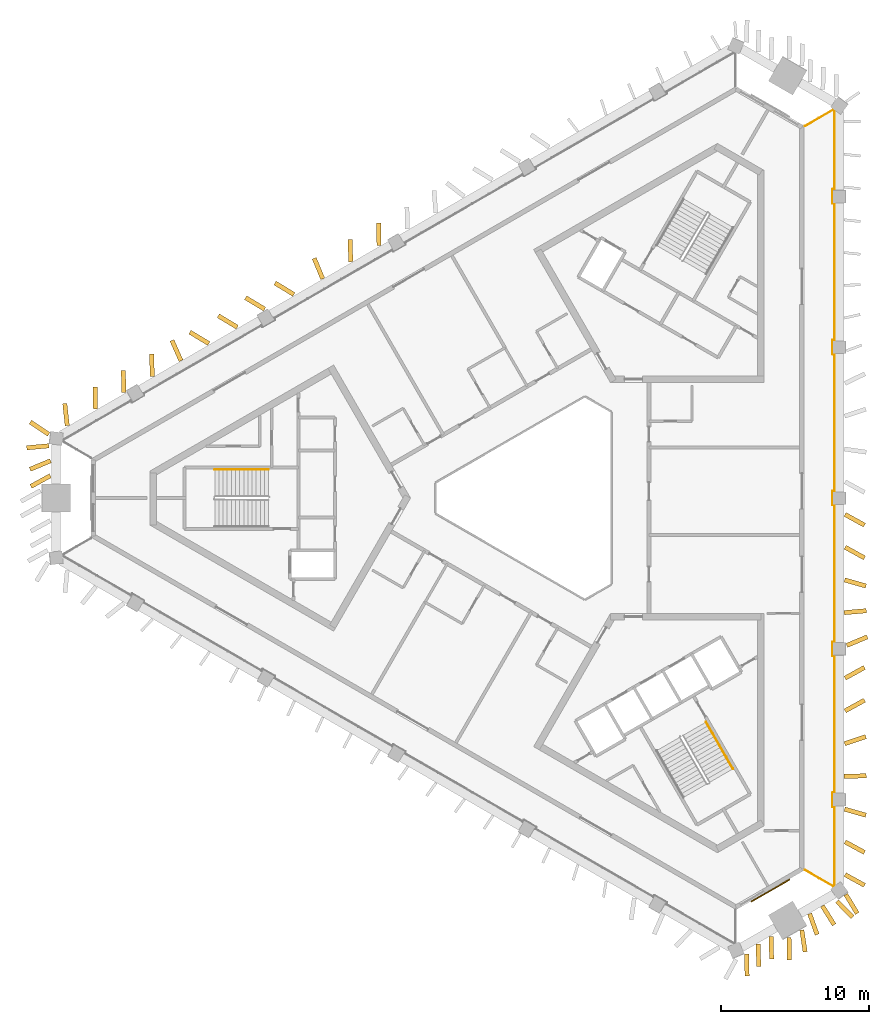
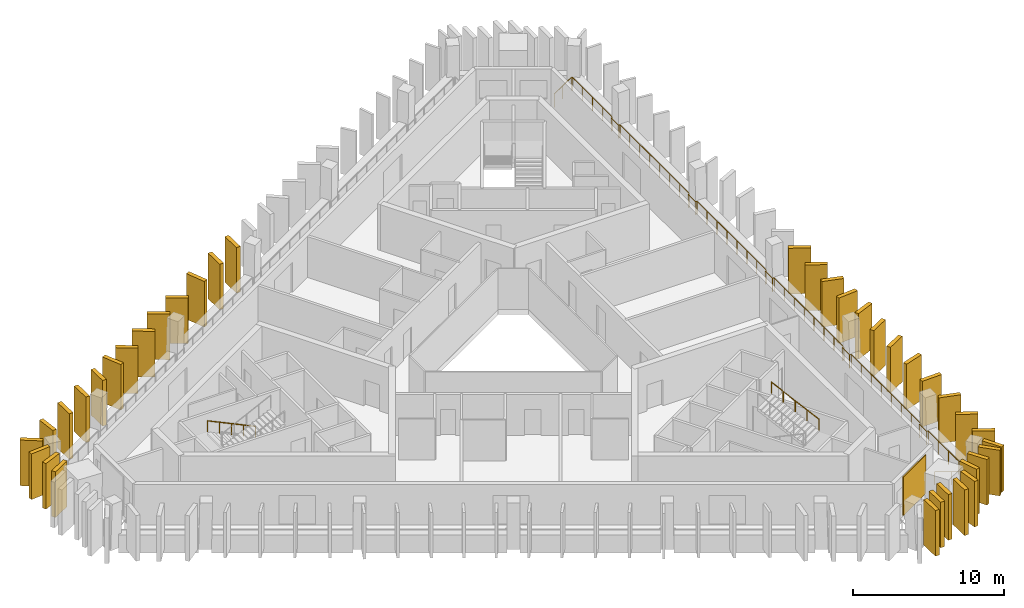
# One storey, part 8 of 9: 37 shading devices, 3 railings, 1 covering.
"""IFC4 building model written with IfcOpenShell, lengths in metres."""

from ifc_helpers import new_model, si_unit, direction, frame, frame_2d, origin, origin_2d, place, context, subcontext, project, spatial, rectangle, circle, extrude, material, layer, layer_set, type_object, element, save


model = new_model("IFC4")

# Units and contexts
model_context = context("Model", 3, precision=1e-05, world=origin(), true_north=direction((0.0, 1.0)))
body_context = subcontext(model_context, "Body", "Model", "MODEL_VIEW")
ifc_project = project(units=[si_unit("LENGTHUNIT", "METRE"), si_unit("AREAUNIT", "SQUARE_METRE"), si_unit("VOLUMEUNIT", "CUBIC_METRE"), si_unit("PLANEANGLEUNIT", "RADIAN"), si_unit("MASSUNIT", "GRAM", prefix="KILO")], contexts=[model_context])

# Site, building, storey
site_placement = place(None, origin())
site = spatial("IfcSite", under=ifc_project, at=site_placement, CompositionType="ELEMENT")
building_placement = place(site_placement, origin())
building = spatial("IfcBuilding", under=site, at=building_placement, Name="Jabali Bay Hotel Tower and Convention Centre", CompositionType="ELEMENT")
storey_placement = place(building_placement, frame((0.0, 0.0, 231.699951171875)))
storey = spatial("IfcBuildingStorey", under=building, at=storey_placement, Name="L57", CompositionType="ELEMENT", Elevation=231.699951171875)

# Railing
ifc_material_1 = material(Name="Glass", Category="glass")
railing_type_1 = type_object("IfcRailingType", Name="Loggia glass guard 1100", PredefinedType="BALUSTRADE", material=ifc_material_1)
railing_1_placement = place(storey_placement, frame((92.6279296875, 105.11669921875, 0.0)))
element("IfcRailing", 1, at=railing_1_placement, inside=storey, type_object=railing_type_1, Name="Loggia glass guard L57", PredefinedType="BALUSTRADE", context=body_context, shape_type="SweptSolid", body=[
    extrude(circle(Radius=0.02490234375, at=origin_2d()), frame((0.0, 0.0, 1.0751953125), z_axis=(0.866008297462, 0.50002962785, 0.0), x_axis=(-0.495751805066, 0.858599476426, 0.13052619222)), (0.0, 0.0, 1.0), 2.247314453125),
    extrude(circle(Radius=0.02490234375, at=origin_2d()), frame((1.9462890625, 1.123779296875, 1.0751953125), z_axis=(0.8, -0.6, 0.0), x_axis=(0.594866916824, 0.793155889099, 0.13052619222)), (0.0, 0.0, 1.0), 0.067138671875),
    extrude(circle(Radius=0.02490234375, at=origin_2d()), frame((2.0, 1.08349609375, 1.0751953125), z_axis=(0.0, -1.0, 0.0), x_axis=(0.991444861374, 0.0, 0.13052619222)), (0.0, 0.0, 1.0), 5.34716796875),
    extrude(circle(Radius=0.02490234375, at=origin_2d()), frame((2.0, -4.263671875, 1.0751953125), z_axis=(-1.0, 0.0, 0.0), x_axis=(0.0, -0.991444861374, 0.13052619222)), (0.0, 0.0, 1.0), 0.125),
    extrude(circle(Radius=0.02490234375, at=origin_2d()), frame((1.875, -4.263671875, 1.0751953125), z_axis=(0.0, -1.0, 0.0), x_axis=(0.991444861374, 0.0, 0.13052619222)), (0.0, 0.0, 1.0), 0.949951171875),
    extrude(circle(Radius=0.02490234375, at=origin_2d()), frame((1.875, -5.213623046875, 1.0751953125), z_axis=(1.0, 0.0, 0.0), x_axis=(0.0, 0.991444861374, 0.13052619222)), (0.0, 0.0, 1.0), 0.125),
    extrude(circle(Radius=0.02490234375, at=origin_2d()), frame((2.0, -5.213623046875, 1.0751953125), z_axis=(0.0, -1.0, 0.0), x_axis=(0.991444861374, 0.0, 0.13052619222)), (0.0, 0.0, 1.0), 9.239013671875),
    extrude(circle(Radius=0.02490234375, at=origin_2d()), frame((2.0, -14.45263671875, 1.0751953125), z_axis=(-1.0, 0.0, 0.0), x_axis=(0.0, -0.991444861374, 0.13052619222)), (0.0, 0.0, 1.0), 0.125),
    extrude(circle(Radius=0.02490234375, at=origin_2d()), frame((1.875, -14.45263671875, 1.0751953125), z_axis=(0.0, -1.0, 0.0), x_axis=(0.991444861374, 0.0, 0.13052619222)), (0.0, 0.0, 1.0), 0.9501953125),
    extrude(circle(Radius=0.02490234375, at=origin_2d()), frame((1.875, -15.40283203125, 1.0751953125), z_axis=(1.0, 0.0, 0.0), x_axis=(0.0, 0.991444861374, 0.13052619222)), (0.0, 0.0, 1.0), 0.125),
    extrude(circle(Radius=0.02490234375, at=origin_2d()), frame((2.0, -15.40283203125, 1.0751953125), z_axis=(0.0, -1.0, 0.0), x_axis=(0.991444861374, 0.0, 0.13052619222)), (0.0, 0.0, 1.0), 9.23876953125),
    extrude(circle(Radius=0.02490234375, at=origin_2d()), frame((2.0, -24.6416015625, 1.0751953125), z_axis=(-1.0, 0.0, 0.0), x_axis=(0.0, -0.991444861374, 0.13052619222)), (0.0, 0.0, 1.0), 0.125),
    extrude(circle(Radius=0.02490234375, at=origin_2d()), frame((1.875, -24.6416015625, 1.0751953125), z_axis=(0.0, -1.0, 0.0), x_axis=(0.991444861374, 0.0, 0.13052619222)), (0.0, 0.0, 1.0), 0.9501953125),
    extrude(circle(Radius=0.02490234375, at=origin_2d()), frame((1.875, -25.591796875, 1.0751953125), z_axis=(1.0, 0.0, 0.0), x_axis=(0.0, 0.991444861374, 0.13052619222)), (0.0, 0.0, 1.0), 0.125),
    extrude(circle(Radius=0.02490234375, at=origin_2d()), frame((2.0, -25.591796875, 1.0751953125), z_axis=(0.0, -1.0, 0.0), x_axis=(0.991444861374, 0.0, 0.13052619222)), (0.0, 0.0, 1.0), 9.23876953125),
    extrude(circle(Radius=0.02490234375, at=origin_2d()), frame((2.0, -34.83056640625, 1.0751953125), z_axis=(-1.0, 0.0, 0.0), x_axis=(0.0, -0.991444861374, 0.13052619222)), (0.0, 0.0, 1.0), 0.125),
    extrude(circle(Radius=0.02490234375, at=origin_2d()), frame((1.875, -34.83056640625, 1.0751953125), z_axis=(0.0, -1.0, 0.0), x_axis=(0.991444861374, 0.0, 0.13052619222)), (0.0, 0.0, 1.0), 0.9501953125),
    extrude(circle(Radius=0.02490234375, at=origin_2d()), frame((1.875, -35.78076171875, 1.0751953125), z_axis=(1.0, 0.0, 0.0), x_axis=(0.0, 0.991444861374, 0.13052619222)), (0.0, 0.0, 1.0), 0.125),
    extrude(circle(Radius=0.02490234375, at=origin_2d()), frame((2.0, -35.78076171875, 1.0751953125), z_axis=(0.0, -1.0, 0.0), x_axis=(0.991444861374, 0.0, 0.13052619222)), (0.0, 0.0, 1.0), 9.239013671875),
    extrude(circle(Radius=0.02490234375, at=origin_2d()), frame((2.0, -45.019775390625, 1.0751953125), z_axis=(-1.0, 0.0, 0.0), x_axis=(0.0, -0.991444861374, 0.13052619222)), (0.0, 0.0, 1.0), 0.125),
    extrude(circle(Radius=0.02490234375, at=origin_2d()), frame((1.875, -45.019775390625, 1.0751953125), z_axis=(0.0, -1.0, 0.0), x_axis=(0.991444861374, 0.0, 0.13052619222)), (0.0, 0.0, 1.0), 0.949951171875),
    extrude(circle(Radius=0.02490234375, at=origin_2d()), frame((1.875, -45.9697265625, 1.0751953125), z_axis=(1.0, 0.0, 0.0), x_axis=(0.0, 0.991444861374, 0.13052619222)), (0.0, 0.0, 1.0), 0.125),
    extrude(circle(Radius=0.02490234375, at=origin_2d()), frame((2.0, -45.9697265625, 1.0751953125), z_axis=(0.0, -1.0, 0.0), x_axis=(0.991444861374, 0.0, 0.13052619222)), (0.0, 0.0, 1.0), 5.34716796875),
    extrude(circle(Radius=0.02490234375, at=origin_2d()), frame((2.0, -51.31689453125, 1.0751953125), z_axis=(-0.8, -0.6, 0.0), x_axis=(0.594866916824, -0.793155889099, 0.13052619222)), (0.0, 0.0, 1.0), 0.067138671875),
    extrude(circle(Radius=0.02490234375, at=origin_2d()), frame((1.9462890625, -51.357177734375, 1.0751953125), z_axis=(-0.866008297462, 0.50002962785, 0.0), x_axis=(-0.495751805066, -0.858599476426, 0.13052619222)), (0.0, 0.0, 1.0), 2.247314453125),
    extrude(circle(Radius=0.02001953125, at=origin_2d()), origin(), (0.0, 0.0, 1.0), 1.050048828125),
    extrude(circle(Radius=0.02001953125, at=origin_2d()), frame((0.97314453125, 0.56201171875, 0.0)), (0.0, 0.0, 1.0), 1.050048828125),
    extrude(circle(Radius=0.02001953125, at=origin_2d()), frame((1.9462890625, 1.123779296875, 0.0)), (0.0, 0.0, 1.0), 1.050048828125),
    extrude(circle(Radius=0.02001953125, at=origin_2d()), frame((2.0, 1.08349609375, 0.0)), (0.0, 0.0, 1.0), 1.050048828125),
    extrude(circle(Radius=0.02001953125, at=origin_2d()), frame((2.0, -0.25341796875, 0.0)), (0.0, 0.0, 1.0), 1.050048828125),
    extrude(circle(Radius=0.02001953125, at=origin_2d()), frame((2.0, -1.590087890625, 0.0)), (0.0, 0.0, 1.0), 1.050048828125),
    extrude(circle(Radius=0.02001953125, at=origin_2d()), frame((2.0, -2.9267578125, 0.0)), (0.0, 0.0, 1.0), 1.050048828125),
    extrude(circle(Radius=0.02001953125, at=origin_2d()), frame((2.0, -4.263671875, 0.0)), (0.0, 0.0, 1.0), 1.050048828125),
    extrude(circle(Radius=0.02001953125, at=origin_2d()), frame((1.875, -4.263671875, 0.0)), (0.0, 0.0, 1.0), 1.050048828125),
    extrude(circle(Radius=0.02001953125, at=origin_2d()), frame((1.875, -5.213623046875, 0.0)), (0.0, 0.0, 1.0), 1.050048828125),
    extrude(circle(Radius=0.02001953125, at=origin_2d()), frame((2.0, -5.213623046875, 0.0)), (0.0, 0.0, 1.0), 1.050048828125),
    extrude(circle(Radius=0.02001953125, at=origin_2d()), frame((2.0, -6.533447265625, 0.0)), (0.0, 0.0, 1.0), 1.050048828125),
    extrude(circle(Radius=0.02001953125, at=origin_2d()), frame((2.0, -7.853271484375, 0.0)), (0.0, 0.0, 1.0), 1.050048828125),
    extrude(circle(Radius=0.02001953125, at=origin_2d()), frame((2.0, -9.173095703125, 0.0)), (0.0, 0.0, 1.0), 1.050048828125),
    extrude(circle(Radius=0.02001953125, at=origin_2d()), frame((2.0, -10.4931640625, 0.0)), (0.0, 0.0, 1.0), 1.050048828125),
    extrude(circle(Radius=0.02001953125, at=origin_2d()), frame((2.0, -11.81298828125, 0.0)), (0.0, 0.0, 1.0), 1.050048828125),
    extrude(circle(Radius=0.02001953125, at=origin_2d()), frame((2.0, -13.1328125, 0.0)), (0.0, 0.0, 1.0), 1.050048828125),
    extrude(circle(Radius=0.02001953125, at=origin_2d()), frame((2.0, -14.45263671875, 0.0)), (0.0, 0.0, 1.0), 1.050048828125),
    extrude(circle(Radius=0.02001953125, at=origin_2d()), frame((1.875, -14.45263671875, 0.0)), (0.0, 0.0, 1.0), 1.050048828125),
    extrude(circle(Radius=0.02001953125, at=origin_2d()), frame((1.875, -15.40283203125, 0.0)), (0.0, 0.0, 1.0), 1.050048828125),
    extrude(circle(Radius=0.02001953125, at=origin_2d()), frame((2.0, -15.40283203125, 0.0)), (0.0, 0.0, 1.0), 1.050048828125),
    extrude(circle(Radius=0.02001953125, at=origin_2d()), frame((2.0, -16.72265625, 0.0)), (0.0, 0.0, 1.0), 1.050048828125),
    extrude(circle(Radius=0.02001953125, at=origin_2d()), frame((2.0, -18.04248046875, 0.0)), (0.0, 0.0, 1.0), 1.050048828125),
    extrude(circle(Radius=0.02001953125, at=origin_2d()), frame((2.0, -19.3623046875, 0.0)), (0.0, 0.0, 1.0), 1.050048828125),
    extrude(circle(Radius=0.02001953125, at=origin_2d()), frame((2.0, -20.68212890625, 0.0)), (0.0, 0.0, 1.0), 1.050048828125),
    extrude(circle(Radius=0.02001953125, at=origin_2d()), frame((2.0, -22.001953125, 0.0)), (0.0, 0.0, 1.0), 1.050048828125),
    extrude(circle(Radius=0.02001953125, at=origin_2d()), frame((2.0, -23.32177734375, 0.0)), (0.0, 0.0, 1.0), 1.050048828125),
    extrude(circle(Radius=0.02001953125, at=origin_2d()), frame((2.0, -24.6416015625, 0.0)), (0.0, 0.0, 1.0), 1.050048828125),
    extrude(circle(Radius=0.02001953125, at=origin_2d()), frame((1.875, -24.6416015625, 0.0)), (0.0, 0.0, 1.0), 1.050048828125),
    extrude(circle(Radius=0.02001953125, at=origin_2d()), frame((1.875, -25.591796875, 0.0)), (0.0, 0.0, 1.0), 1.050048828125),
    extrude(circle(Radius=0.02001953125, at=origin_2d()), frame((2.0, -25.591796875, 0.0)), (0.0, 0.0, 1.0), 1.050048828125),
    extrude(circle(Radius=0.02001953125, at=origin_2d()), frame((2.0, -26.91162109375, 0.0)), (0.0, 0.0, 1.0), 1.050048828125),
    extrude(circle(Radius=0.02001953125, at=origin_2d()), frame((2.0, -28.2314453125, 0.0)), (0.0, 0.0, 1.0), 1.050048828125),
    extrude(circle(Radius=0.02001953125, at=origin_2d()), frame((2.0, -29.55126953125, 0.0)), (0.0, 0.0, 1.0), 1.050048828125),
    extrude(circle(Radius=0.02001953125, at=origin_2d()), frame((2.0, -30.87109375, 0.0)), (0.0, 0.0, 1.0), 1.050048828125),
    extrude(circle(Radius=0.02001953125, at=origin_2d()), frame((2.0, -32.19091796875, 0.0)), (0.0, 0.0, 1.0), 1.050048828125),
    extrude(circle(Radius=0.02001953125, at=origin_2d()), frame((2.0, -33.5107421875, 0.0)), (0.0, 0.0, 1.0), 1.050048828125),
    extrude(circle(Radius=0.02001953125, at=origin_2d()), frame((2.0, -34.83056640625, 0.0)), (0.0, 0.0, 1.0), 1.050048828125),
    extrude(circle(Radius=0.02001953125, at=origin_2d()), frame((1.875, -34.83056640625, 0.0)), (0.0, 0.0, 1.0), 1.050048828125),
    extrude(circle(Radius=0.02001953125, at=origin_2d()), frame((1.875, -35.78076171875, 0.0)), (0.0, 0.0, 1.0), 1.050048828125),
    extrude(circle(Radius=0.02001953125, at=origin_2d()), frame((2.0, -35.78076171875, 0.0)), (0.0, 0.0, 1.0), 1.050048828125),
    extrude(circle(Radius=0.02001953125, at=origin_2d()), frame((2.0, -37.1005859375, 0.0)), (0.0, 0.0, 1.0), 1.050048828125),
    extrude(circle(Radius=0.02001953125, at=origin_2d()), frame((2.0, -38.42041015625, 0.0)), (0.0, 0.0, 1.0), 1.050048828125),
    extrude(circle(Radius=0.02001953125, at=origin_2d()), frame((2.0, -39.740234375, 0.0)), (0.0, 0.0, 1.0), 1.050048828125),
    extrude(circle(Radius=0.02001953125, at=origin_2d()), frame((2.0, -41.060302734375, 0.0)), (0.0, 0.0, 1.0), 1.050048828125),
    extrude(circle(Radius=0.02001953125, at=origin_2d()), frame((2.0, -42.380126953125, 0.0)), (0.0, 0.0, 1.0), 1.050048828125),
    extrude(circle(Radius=0.02001953125, at=origin_2d()), frame((2.0, -43.699951171875, 0.0)), (0.0, 0.0, 1.0), 1.050048828125),
    extrude(circle(Radius=0.02001953125, at=origin_2d()), frame((2.0, -45.019775390625, 0.0)), (0.0, 0.0, 1.0), 1.050048828125),
    extrude(circle(Radius=0.02001953125, at=origin_2d()), frame((1.875, -45.019775390625, 0.0)), (0.0, 0.0, 1.0), 1.050048828125),
    extrude(circle(Radius=0.02001953125, at=origin_2d()), frame((1.875, -45.9697265625, 0.0)), (0.0, 0.0, 1.0), 1.050048828125),
    extrude(circle(Radius=0.02001953125, at=origin_2d()), frame((2.0, -45.9697265625, 0.0)), (0.0, 0.0, 1.0), 1.050048828125),
    extrude(circle(Radius=0.02001953125, at=origin_2d()), frame((2.0, -47.306640625, 0.0)), (0.0, 0.0, 1.0), 1.050048828125),
    extrude(circle(Radius=0.02001953125, at=origin_2d()), frame((2.0, -48.643310546875, 0.0)), (0.0, 0.0, 1.0), 1.050048828125),
    extrude(circle(Radius=0.02001953125, at=origin_2d()), frame((2.0, -49.97998046875, 0.0)), (0.0, 0.0, 1.0), 1.050048828125),
    extrude(circle(Radius=0.02001953125, at=origin_2d()), frame((2.0, -51.31689453125, 0.0)), (0.0, 0.0, 1.0), 1.050048828125),
    extrude(circle(Radius=0.02001953125, at=origin_2d()), frame((1.9462890625, -51.357177734375, 0.0)), (0.0, 0.0, 1.0), 1.050048828125),
    extrude(circle(Radius=0.02001953125, at=origin_2d()), frame((0.97314453125, -50.79541015625, 0.0)), (0.0, 0.0, 1.0), 1.050048828125),
    extrude(circle(Radius=0.02001953125, at=origin_2d()), frame((0.0, -50.2333984375, 0.0)), (0.0, 0.0, 1.0), 1.050048828125),
])

# Shading devices
ifc_material_2 = material(Name="Precast concrete C60", Category="concrete")
ifc_layer_1 = layer(ifc_material_2, 0.300048828125)
ifc_layer_set_1 = layer_set([ifc_layer_1], Name="Precast concrete C60")
shading_device_type = type_object("IfcShadingDeviceType", Name="Precast fin 3680 x 1500", PredefinedType="USERDEFINED", material=ifc_layer_set_1)
shading_device_1_placement = place(storey_placement, frame((95.342529296875, 54.57421875, 0.010009765625), z_axis=(0.0, 0.0, 1.0), x_axis=(0.876054364323, -0.482212350267, 0.0)))
element("IfcShadingDevice", 2, at=shading_device_1_placement, inside=storey, type_object=shading_device_type, Name="Fin L57 000", ObjectType="FIN", PredefinedType="USERDEFINED", context=body_context, shape_type="SweptSolid", body=[
    extrude(rectangle(XDim=1.500244140625, YDim=0.300048828125, at=frame_2d((0.75, 0.0))), origin(), (0.0, 0.0, 1.0), 3.679931640625),
])
for number, where, z_axis, x_axis, name in (
    (3, (95.341796875, 56.78515625, 0.010009765625), (0.0, 0.0, 1.0), (0.878882676846, -0.477037986266, 0.0), "Fin L57 001"),
    (4, (95.3115234375, 58.99609375, 0.010009765625), (0.0, 0.0, 1.0), (0.961523947641, -0.274721127897, 0.0), "Fin L57 002"),
    (5, (95.274169921875, 61.20703125, 0.010009765625), (0.0, 0.0, 1.0), (0.999673459599, 0.025553359355, 0.0), "Fin L57 003"),
    (6, (95.317626953125, 63.41796875, 0.010009765625), (0.0, 0.0, 1.0), (0.948732114951, 0.316081277618, 0.0), "Fin L57 004"),
):
    element("IfcShadingDevice", number, at=place(storey_placement, frame(where, z_axis=z_axis, x_axis=x_axis)), inside=storey, type_object=shading_device_type, Name=name, ObjectType="FIN", PredefinedType="USERDEFINED", context=body_context, shape_type="SweptSolid", body=[
        extrude(rectangle(XDim=1.5, YDim=0.300048828125, at=frame_2d((0.75, 0.0))), origin(), (0.0, 0.0, 1.0), 3.679931640625),
    ])
for number, where, z_axis, x_axis, name in (
    (7, (95.342529296875, 65.62890625, 0.010009765625), (0.0, 0.0, 1.0), (0.876054364323, 0.482212350267, 0.0), "Fin L57 005"),
    (8, (95.342529296875, 67.83984375, 0.010009765625), (0.0, 0.0, 1.0), (0.876054364323, 0.482212350267, 0.0), "Fin L57 006"),
):
    element("IfcShadingDevice", number, at=place(storey_placement, frame(where, z_axis=z_axis, x_axis=x_axis)), inside=storey, type_object=shading_device_type, Name=name, ObjectType="FIN", PredefinedType="USERDEFINED", context=body_context, shape_type="SweptSolid", body=[
        extrude(rectangle(XDim=1.500244140625, YDim=0.300048828125, at=frame_2d((0.75, 0.0))), origin(), (0.0, 0.0, 1.0), 3.679931640625),
    ])
shading_device_2_placement = place(storey_placement, frame((95.460693359375, 70.05078125, 0.010009765625), z_axis=(0.0, 0.0, 1.0), x_axis=(0.922396489233, 0.386244374263, 0.0)))
element("IfcShadingDevice", 9, at=shading_device_2_placement, inside=storey, type_object=shading_device_type, Name="Fin L57 007", ObjectType="FIN", PredefinedType="USERDEFINED", context=body_context, shape_type="SweptSolid", body=[
    extrude(rectangle(XDim=1.5, YDim=0.300048828125, at=frame_2d((0.75, 0.0))), origin(), (0.0, 0.0, 1.0), 3.679931640625),
])
shading_device_3_placement = place(storey_placement, frame((95.28369140625, 72.26171875, 0.010009765625), z_axis=(0.0, 0.0, 1.0), x_axis=(0.996071364483, 0.088554146475, 0.0)))
element("IfcShadingDevice", 10, at=shading_device_3_placement, inside=storey, type_object=shading_device_type, Name="Fin L57 008", ObjectType="FIN", PredefinedType="USERDEFINED", context=body_context, shape_type="SweptSolid", body=[
    extrude(rectangle(XDim=1.499755859375, YDim=0.300048828125, at=frame_2d((0.75, 0.0))), origin(), (0.0, 0.0, 1.0), 3.679931640625),
])
shading_device_4_placement = place(storey_placement, frame((95.3115234375, 74.47265625, 0.010009765625), z_axis=(0.0, 0.0, 1.0), x_axis=(0.961523947641, -0.274721127897, 0.0)))
element("IfcShadingDevice", 11, at=shading_device_4_placement, inside=storey, type_object=shading_device_type, Name="Fin L57 009", ObjectType="FIN", PredefinedType="USERDEFINED", context=body_context, shape_type="SweptSolid", body=[
    extrude(rectangle(XDim=1.5, YDim=0.300048828125, at=frame_2d((0.75, 0.0))), origin(), (0.0, 0.0, 1.0), 3.679931640625),
])
shading_device_5_placement = place(storey_placement, frame((95.342529296875, 76.68359375, 0.010009765625), z_axis=(0.0, 0.0, 1.0), x_axis=(0.876054364323, -0.482212350267, 0.0)))
element("IfcShadingDevice", 12, at=shading_device_5_placement, inside=storey, type_object=shading_device_type, Name="Fin L57 010", ObjectType="FIN", PredefinedType="USERDEFINED", context=body_context, shape_type="SweptSolid", body=[
    extrude(rectangle(XDim=1.500244140625, YDim=0.300048828125, at=frame_2d((0.75, 0.0))), origin(), (0.0, 0.0, 1.0), 3.679931640625),
])
for number, where, z_axis, x_axis, name in (
    (13, (95.342529296875, 78.89453125, 0.010009765625), (0.0, 0.0, 1.0), (0.876123111345, -0.482087433737, 0.0), "Fin L57 011"),
    (14, (63.871337890625, 97.064453125, 0.010009765625), (0.0, 0.0, 1.0), (-0.020344152619, 0.99979303631, 0.0), "Fin L57 044"),
    (15, (61.95654296875, 95.958984375, 0.010009765625), (0.0, 0.0, 1.0), (-0.020344152619, 0.99979303631, 0.0), "Fin L57 045"),
    (16, (60.068359375, 94.807861328125, 0.010009765625), (0.0, 0.0, 1.0), (-0.382811769845, 0.923826362943, 0.0), "Fin L57 046"),
):
    element("IfcShadingDevice", number, at=place(storey_placement, frame(where, z_axis=z_axis, x_axis=x_axis)), inside=storey, type_object=shading_device_type, Name=name, ObjectType="FIN", PredefinedType="USERDEFINED", context=body_context, shape_type="SweptSolid", body=[
        extrude(rectangle(XDim=1.5, YDim=0.300048828125, at=frame_2d((0.75, 0.0))), origin(), (0.0, 0.0, 1.0), 3.679931640625),
    ])
for number, where, z_axis, x_axis, name in (
    (17, (58.127197265625, 93.748046875, 0.010009765625), (0.0, 0.0, 1.0), (-0.855678355886, 0.517508020487, 0.0), "Fin L57 047"),
    (18, (56.146240234375, 92.75732421875, 0.010009765625), (0.0, 0.0, 1.0), (-0.855678355886, 0.517508020487, 0.0), "Fin L57 048"),
):
    element("IfcShadingDevice", number, at=place(storey_placement, frame(where, z_axis=z_axis, x_axis=x_axis)), inside=storey, type_object=shading_device_type, Name=name, ObjectType="FIN", PredefinedType="USERDEFINED", context=body_context, shape_type="SweptSolid", body=[
        extrude(rectangle(XDim=1.500244140625, YDim=0.300048828125, at=frame_2d((0.75, 0.0))), origin(), (0.0, 0.0, 1.0), 3.679931640625),
    ])
shading_device_6_placement = place(storey_placement, frame((54.297607421875, 91.537109375, 0.010009765625), z_axis=(0.0, 0.0, 1.0), x_axis=(-0.855634763077, 0.51758009256, 0.0)))
element("IfcShadingDevice", 19, at=shading_device_6_placement, inside=storey, type_object=shading_device_type, Name="Fin L57 049", ObjectType="FIN", PredefinedType="USERDEFINED", context=body_context, shape_type="SweptSolid", body=[
    extrude(rectangle(XDim=1.5, YDim=0.300048828125, at=frame_2d((0.75, 0.0))), origin(), (0.0, 0.0, 1.0), 3.679931640625),
])
for number, where, z_axis, x_axis, name in (
    (20, (52.383056640625, 90.431640625, 0.010009765625), (0.0, 0.0, 1.0), (-0.855678355886, 0.517508020487, 0.0), "Fin L57 050"),
    (21, (50.49658203125, 89.27734375, 0.010009765625), (0.0, 0.0, 1.0), (-0.405398429238, 0.914140095156, 0.0), "Fin L57 051"),
):
    element("IfcShadingDevice", number, at=place(storey_placement, frame(where, z_axis=z_axis, x_axis=x_axis)), inside=storey, type_object=shading_device_type, Name=name, ObjectType="FIN", PredefinedType="USERDEFINED", context=body_context, shape_type="SweptSolid", body=[
        extrude(rectangle(XDim=1.500244140625, YDim=0.300048828125, at=frame_2d((0.75, 0.0))), origin(), (0.0, 0.0, 1.0), 3.679931640625),
    ])
for number, where, z_axis, x_axis, name in (
    (22, (48.553466796875, 88.220703125, 0.010009765625), (0.0, 0.0, 1.0), (-0.020344152619, 0.99979303631, 0.0), "Fin L57 052"),
    (23, (46.635986328125, 87.120361328125, 0.010009765625), (0.0, 0.0, 1.0), (-0.020344152619, 0.99979303631, 0.0), "Fin L57 053"),
    (24, (44.72412109375, 86.009765625, 0.010009765625), (0.0, 0.0, 1.0), (-0.020344152619, 0.99979303631, 0.0), "Fin L57 054"),
    (25, (42.8154296875, 84.89404296875, 0.010009765625), (0.0, 0.0, 1.0), (-0.109055816356, 0.99403562759, 0.0), "Fin L57 055"),
    (26, (41.573486328125, 83.53125, 0.010009765625), (0.0, 0.0, 1.0), (-0.995762781979, -0.091959132366, 0.0), "Fin L57 056"),
    (27, (41.689697265625, 82.5224609375, 0.010009765625), (0.0, 0.0, 1.0), (-0.922478732188, -0.386047909801, 0.0), "Fin L57 057"),
    (28, (41.67529296875, 81.513427734375, 0.010009765625), (0.0, 0.0, 1.0), (-0.876016513422, -0.482281109117, 0.0), "Fin L57 058"),
    (29, (88.69482421875, 49.21728515625, 0.010009765625), (0.0, 0.0, 1.0), (0.020344152619, -0.99979303631, 0.0), "Fin L57 088"),
):
    element("IfcShadingDevice", number, at=place(storey_placement, frame(where, z_axis=z_axis, x_axis=x_axis)), inside=storey, type_object=shading_device_type, Name=name, ObjectType="FIN", PredefinedType="USERDEFINED", context=body_context, shape_type="SweptSolid", body=[
        extrude(rectangle(XDim=1.5, YDim=0.300048828125, at=frame_2d((0.75, 0.0))), origin(), (0.0, 0.0, 1.0), 3.679931640625),
    ])
shading_device_7_placement = place(storey_placement, frame((89.47802734375, 49.878662109375, 0.010009765625), z_axis=(0.0, 0.0, 1.0), x_axis=(0.020347463549, -0.999792968933, 0.0)))
element("IfcShadingDevice", 30, at=shading_device_7_placement, inside=storey, type_object=shading_device_type, Name="Fin L57 089", ObjectType="FIN", PredefinedType="USERDEFINED", context=body_context, shape_type="SweptSolid", body=[
    extrude(rectangle(XDim=1.499755859375, YDim=0.300048828125, at=frame_2d((0.75, 0.0))), origin(), (0.0, 0.0, 1.0), 3.679931640625),
])
for number, where, z_axis, x_axis, name in (
    (31, (90.351806640625, 50.38330078125, 0.010009765625), (0.0, 0.0, 1.0), (0.020181465953, -0.999796333476, 0.0), "Fin L57 090"),
    (32, (91.556884765625, 50.31396484375, 0.010009765625), (0.0, 0.0, 1.0), (0.020181465953, -0.999796333476, 0.0), "Fin L57 091"),
    (33, (92.421630859375, 50.833740234375, 0.010009765625), (0.0, 0.0, 1.0), (0.151531244511, -0.988452468223, 0.0), "Fin L57 092"),
    (34, (92.950439453125, 51.935791015625, 0.010009765625), (0.0, 0.0, 1.0), (0.335449534217, -0.942058177606, 0.0), "Fin L57 093"),
    (35, (93.81298828125, 52.45947265625, 0.010009765625), (0.0, 0.0, 1.0), (0.527670745567, -0.849448988623, 0.0), "Fin L57 094"),
    (36, (94.795654296875, 52.775390625, 0.010009765625), (0.0, 0.0, 1.0), (0.700484602695, -0.713667514595, 0.0), "Fin L57 095"),
):
    element("IfcShadingDevice", number, at=place(storey_placement, frame(where, z_axis=z_axis, x_axis=x_axis)), inside=storey, type_object=shading_device_type, Name=name, ObjectType="FIN", PredefinedType="USERDEFINED", context=body_context, shape_type="SweptSolid", body=[
        extrude(rectangle(XDim=1.5, YDim=0.300048828125, at=frame_2d((0.75, 0.0))), origin(), (0.0, 0.0, 1.0), 3.679931640625),
    ])
for number, where, z_axis, x_axis, name in (
    (37, (95.391845703125, 53.229736328125, 0.010009765625), (0.0, 0.0, 1.0), (0.517460918382, -0.855706841124, 0.0), "Fin L57 096"),
    (38, (41.57080078125, 84.303466796875, 0.010009765625), (0.0, 0.0, 1.0), (-0.830167318038, 0.557514326329, 0.0), "Fin L57 099"),
):
    element("IfcShadingDevice", number, at=place(storey_placement, frame(where, z_axis=z_axis, x_axis=x_axis)), inside=storey, type_object=shading_device_type, Name=name, ObjectType="FIN", PredefinedType="USERDEFINED", context=body_context, shape_type="SweptSolid", body=[
        extrude(rectangle(XDim=1.499755859375, YDim=0.300048828125, at=frame_2d((0.75, 0.0))), origin(), (0.0, 0.0, 1.0), 3.679931640625),
    ])

# Covering
ifc_material_3 = material(Name="Precast concrete C40/50", Category="concrete")
ifc_layer_2 = layer(ifc_material_3, 0.080078125)
ifc_layer_set_2 = layer_set([ifc_layer_2], Name="Precast concrete C40/50")
covering_type = type_object("IfcCoveringType", Name="Relief panel 3000 x 3100", PredefinedType="CLADDING", material=ifc_layer_set_2)
covering_placement = place(storey_placement, frame((90.302734375, 53.49462890625, 0.10009765625), z_axis=(0.0, 0.0, 1.0), x_axis=(-0.866025453299, -0.499999914238, 0.0)))
element("IfcCovering", 39, at=covering_placement, inside=storey, type_object=covering_type, Name="Relief panel L57", PredefinedType="CLADDING", context=body_context, shape_type="SweptSolid", body=[
    extrude(rectangle(XDim=3.0, YDim=0.080078125, at=origin_2d()), origin(), (0.0, 0.0, 1.0), 3.10009765625),
])

# Railings
ifc_material_4 = material(Name="Steel Q355B", Category="steel")
railing_type_2 = type_object("IfcRailingType", Name="Stair handrail 900", PredefinedType="HANDRAIL", material=ifc_material_4)
railing_2_placement = place(storey_placement, frame((56.419921875, 81.925048828125, 0.132080078125)))
element("IfcRailing", 40, at=railing_2_placement, inside=storey, type_object=railing_type_2, Name="L57 ST1 stair handrail 1", PredefinedType="HANDRAIL", context=body_context, shape_type="SweptSolid", body=[
    extrude(circle(Radius=0.02392578125, at=origin_2d()), frame((0.0, 0.0, 0.8759765625), z_axis=(-0.904327350853, 0.0, 0.426839598092), x_axis=(0.0, -1.0, 0.0)), (0.0, 0.0, 1.0), 4.02490234375),
    extrude(circle(Radius=0.02099609375, at=origin_2d()), origin(), (0.0, 0.0, 1.0), 0.851806640625),
    extrude(circle(Radius=0.02099609375, at=origin_2d()), frame((-0.909912109375, 0.0, 0.429443359375)), (0.0, 0.0, 1.0), 0.851806640625),
    extrude(circle(Radius=0.02099609375, at=origin_2d()), frame((-1.81982421875, 0.0, 0.85888671875)), (0.0, 0.0, 1.0), 0.851806640625),
    extrude(circle(Radius=0.02099609375, at=origin_2d()), frame((-2.72998046875, 0.0, 1.28857421875)), (0.0, 0.0, 1.0), 0.851806640625),
    extrude(circle(Radius=0.02099609375, at=origin_2d()), frame((-3.639892578125, 0.0, 1.718017578125)), (0.0, 0.0, 1.0), 0.851806640625),
])
railing_3_placement = place(storey_placement, frame((87.777099609375, 61.719482421875, 1.982177734375)))
element("IfcRailing", 41, at=railing_3_placement, inside=storey, type_object=railing_type_2, Name="L57 ST3 stair handrail 2", PredefinedType="HANDRAIL", context=body_context, shape_type="SweptSolid", body=[
    extrude(circle(Radius=0.02392578125, at=origin_2d()), frame((0.0, 0.0, 0.8759765625), z_axis=(-0.452190331055, 0.783190014029, 0.426775475427), x_axis=(-0.866018046521, -0.500012742938, 0.0)), (0.0, 0.0, 1.0), 4.02490234375),
    extrude(circle(Radius=0.02099609375, at=origin_2d()), origin(), (0.0, 0.0, 1.0), 0.851806640625),
    extrude(circle(Radius=0.02099609375, at=origin_2d()), frame((-0.455078125, 0.7880859375, 0.429443359375)), (0.0, 0.0, 1.0), 0.851806640625),
    extrude(circle(Radius=0.02099609375, at=origin_2d()), frame((-0.91015625, 1.576171875, 0.85888671875)), (0.0, 0.0, 1.0), 0.851806640625),
    extrude(circle(Radius=0.02099609375, at=origin_2d()), frame((-1.364990234375, 2.3642578125, 1.288330078125)), (0.0, 0.0, 1.0), 0.851806640625),
    extrude(circle(Radius=0.02099609375, at=origin_2d()), frame((-1.820068359375, 3.15234375, 1.7177734375)), (0.0, 0.0, 1.0), 0.851806640625),
])

save(model, "model.ifc")
